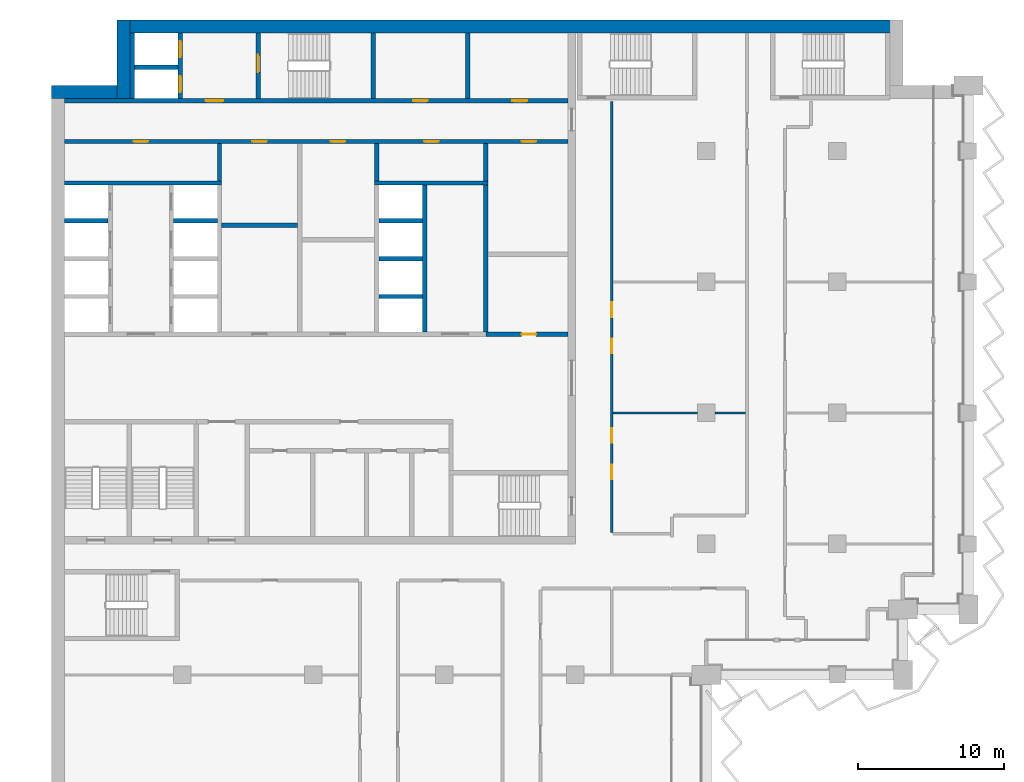
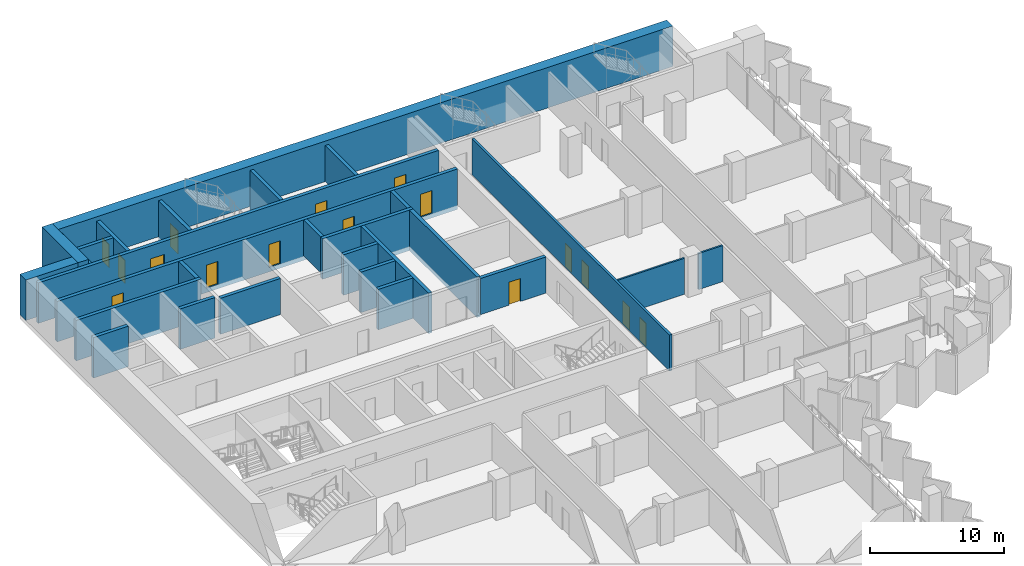
# One storey, part 14 of 23: 28 walls, 16 doors, 16 openings.
"""IFC4 building model written with IfcOpenShell, lengths in metres."""

from ifc_helpers import new_model, si_unit, direction, frame, frame_2d, origin, place, context, subcontext, project, spatial, rectangle, extrude, material, layer, layer_set, type_object, element, fill, save


model = new_model("IFC4")

# Units and contexts
model_context = context("Model", 3, precision=1e-05, world=origin(), true_north=direction((0.0, 1.0)))
body_context = subcontext(model_context, "Body", "Model", "MODEL_VIEW")
ifc_project = project(units=[si_unit("LENGTHUNIT", "METRE"), si_unit("AREAUNIT", "SQUARE_METRE"), si_unit("VOLUMEUNIT", "CUBIC_METRE"), si_unit("PLANEANGLEUNIT", "RADIAN"), si_unit("MASSUNIT", "GRAM", prefix="KILO")], contexts=[model_context])

# Site, building, storey
site_placement = place(None, origin())
site = spatial("IfcSite", under=ifc_project, at=site_placement, CompositionType="ELEMENT")
building_placement = place(site_placement, origin())
building = spatial("IfcBuilding", under=site, at=building_placement, Name="Hunhe Ridgeline Campus", CompositionType="ELEMENT")
storey_placement = place(building_placement, frame((0.0, 0.0, 170.800048828125)))
storey = spatial("IfcBuildingStorey", under=building, at=storey_placement, Name="L43", CompositionType="ELEMENT", Elevation=170.800048828125)

# Wall, opening, door
ifc_material_1 = material(Name="Masonry concrete blockwork", Category="masonry")
ifc_layer_1 = layer(ifc_material_1, 0.300048828125)
ifc_layer_set_1 = layer_set([ifc_layer_1], Name="Core room partition 300 concrete block")
wall_type_1 = type_object("IfcWallType", Name="Core room partition 300 concrete block", PredefinedType="PARTITIONING", material=ifc_layer_set_1)
wall_1_placement = place(storey_placement, frame((29.85009765625, 77.39990234375, 0.0), z_axis=(0.0, 0.0, 1.0), x_axis=(1.0, 0.0, 0.0)))
wall_1 = element("IfcWall", 1, at=wall_1_placement, inside=storey, type_object=wall_type_1, Name="L43 core partition 13", PredefinedType="PARTITIONING", context=body_context, shape_type="SweptSolid", body=[
    extrude(rectangle(XDim=5.64990234375, YDim=0.300048828125, at=frame_2d((2.824951171875, 0.0))), origin(), (0.0, 0.0, 1.0), 3.300048828125),
])
opening_1_placement = place(wall_1_placement, frame((2.449951171875, 0.0, 0.0)))
opening_1 = element("IfcOpeningElement", 2, at=opening_1_placement, cuts=wall_1, Name="Opening CD32", PredefinedType="OPENING", context=body_context, shape_type="SweptSolid", body=[
    extrude(rectangle(XDim=1.0, YDim=2.10009765625, at=frame_2d((0.5, 1.050048828125))), frame((0.0, 0.14990234375, 0.0), z_axis=(0.0, -1.0, 0.0), x_axis=(1.0, 0.0, 0.0)), (0.0, 0.0, 1.0), 0.300048828125),
])
ifc_material_2 = material(Name="Solid core timber door leaf", Category="wood")
door_type_1 = type_object("IfcDoorType", Name="Timber door 1000x2100", OperationType="SINGLE_SWING_LEFT", PredefinedType="DOOR", material=ifc_material_2)
door_1_placement = place(opening_1_placement, origin())
door_1 = element("IfcDoor", 3, at=door_1_placement, inside=storey, type_object=door_type_1, Name="L43 door ES0", OperationType="SINGLE_SWING_LEFT", OverallHeight=2.10009765625, OverallWidth=1.0, PredefinedType="DOOR", context=body_context, shape_type="SweptSolid", body=[
    extrude(rectangle(XDim=1.0, YDim=2.10009765625, at=frame_2d((0.5, 1.050048828125))), frame((0.0, 0.02490234375, 0.0), z_axis=(0.0, -1.0, 0.0), x_axis=(1.0, 0.0, 0.0)), (0.0, 0.0, 1.0), 0.050048828125),
])
fill(opening_1, door_1)

# Walls
wall_2_placement = place(storey_placement, frame((11.699951171875, 84.89990234375, 0.0), z_axis=(0.0, 0.0, 1.0), x_axis=(1.0, 0.0, 0.0)))
element("IfcWall", 4, at=wall_2_placement, inside=storey, type_object=wall_type_1, Name="L43 core partition 22", PredefinedType="PARTITIONING", context=body_context, shape_type="SweptSolid", body=[
    extrude(rectangle(XDim=5.199951171875, YDim=0.300048828125, at=frame_2d((2.60009765625, 0.0))), origin(), (0.0, 0.0, 1.0), 3.300048828125),
])
for number, where, z_axis, x_axis, name in (
    (5, (11.550048828125, 87.949951171875, 0.0), (0.0, 0.0, 1.0), (0.0, 1.0, 0.0), "L43 core partition 42"),
    (6, (22.35009765625, 87.949951171875, 0.0), (0.0, 0.0, 1.0), (0.0, 1.0, 0.0), "L43 core partition 51"),
):
    element("IfcWall", number, at=place(storey_placement, frame(where, z_axis=z_axis, x_axis=x_axis)), inside=storey, type_object=wall_type_1, Name=name, PredefinedType="PARTITIONING", context=body_context, shape_type="SweptSolid", body=[
        extrude(rectangle(XDim=2.550048828125, YDim=0.300048828125, at=frame_2d((1.27490234375, 0.0))), origin(), (0.0, 0.0, 1.0), 3.300048828125),
    ])
wall_3_placement = place(storey_placement, frame((28.60009765625, 93.60009765625, 0.0), z_axis=(0.0, 0.0, 1.0), x_axis=(0.0, 1.0, 0.0)))
element("IfcWall", 7, at=wall_3_placement, inside=storey, type_object=wall_type_1, Name="L43 core partition 57", PredefinedType="PARTITIONING", context=body_context, shape_type="SweptSolid", body=[
    extrude(rectangle(XDim=4.5, YDim=0.300048828125, at=frame_2d((2.25, 0.0))), origin(), (0.0, 0.0, 1.0), 3.300048828125),
])
wall_4_placement = place(storey_placement, frame((29.85009765625, 87.949951171875, 0.0), z_axis=(0.0, 0.0, 1.0), x_axis=(0.0, 1.0, 0.0)))
element("IfcWall", 8, at=wall_4_placement, inside=storey, type_object=wall_type_1, Name="L43 core partition 59", PredefinedType="PARTITIONING", context=body_context, shape_type="SweptSolid", body=[
    extrude(rectangle(XDim=2.550048828125, YDim=0.300048828125, at=frame_2d((1.27490234375, 0.0))), origin(), (0.0, 0.0, 1.0), 3.300048828125),
])

# Wall, openings, doors
ifc_material_3 = material(Name="Gypsum board partition")
ifc_layer_2 = layer(ifc_material_3, 0.199951171875)
ifc_layer_set_2 = layer_set([ifc_layer_2], Name="Corridor partition 200 gypsum board on steel studs")
wall_type_2 = type_object("IfcWallType", Name="Corridor partition 200 gypsum board on steel studs", PredefinedType="PARTITIONING", material=ifc_layer_set_2)
wall_5_placement = place(storey_placement, frame((38.5, 93.39599609375, 0.0), z_axis=(0.0, 0.0, 1.0), x_axis=(0.0, -1.0, 0.0)))
wall_5 = element("IfcWall", 9, at=wall_5_placement, inside=storey, type_object=wall_type_2, Name="F-L43-wall-074", PredefinedType="PARTITIONING", context=body_context, shape_type="SweptSolid", body=[
    extrude(rectangle(XDim=29.595947265625, YDim=0.199951171875, at=frame_2d((14.7978515625, 0.0))), origin(), (0.0, 0.0, 1.0), 3.300048828125),
])
opening_2_placement = place(wall_5_placement, frame((24.95751953125, 0.0, 0.0)))
opening_2 = element("IfcOpeningElement", 10, at=opening_2_placement, cuts=wall_5, Name="Opening RD1-028", PredefinedType="OPENING", context=body_context, shape_type="SweptSolid", body=[
    extrude(rectangle(XDim=1.0, YDim=2.10009765625, at=frame_2d((0.5, 1.050048828125))), frame((0.0, 0.10009765625, 0.0), z_axis=(0.0, -1.0, 0.0), x_axis=(1.0, 0.0, 0.0)), (0.0, 0.0, 1.0), 0.199951171875),
])
opening_3_placement = place(wall_5_placement, frame((22.45751953125, 0.0, 0.0)))
opening_3 = element("IfcOpeningElement", 11, at=opening_3_placement, cuts=wall_5, Name="Opening RD1-030", PredefinedType="OPENING", context=body_context, shape_type="SweptSolid", body=[
    extrude(rectangle(XDim=1.0, YDim=2.10009765625, at=frame_2d((0.5, 1.050048828125))), frame((0.0, 0.10009765625, 0.0), z_axis=(0.0, -1.0, 0.0), x_axis=(1.0, 0.0, 0.0)), (0.0, 0.0, 1.0), 0.199951171875),
])
opening_4_placement = place(wall_5_placement, frame((16.304443359375, 0.0, 0.0)))
opening_4 = element("IfcOpeningElement", 12, at=opening_4_placement, cuts=wall_5, Name="Opening RD1-032", PredefinedType="OPENING", context=body_context, shape_type="SweptSolid", body=[
    extrude(rectangle(XDim=1.0, YDim=2.10009765625, at=frame_2d((0.5, 1.050048828125))), frame((0.0, 0.10009765625, 0.0), z_axis=(0.0, -1.0, 0.0), x_axis=(1.0, 0.0, 0.0)), (0.0, 0.0, 1.0), 0.199951171875),
])
opening_5_placement = place(wall_5_placement, frame((13.804443359375, 0.0, 0.0)))
opening_5 = element("IfcOpeningElement", 13, at=opening_5_placement, cuts=wall_5, Name="Opening RD1-033", PredefinedType="OPENING", context=body_context, shape_type="SweptSolid", body=[
    extrude(rectangle(XDim=1.0, YDim=2.10009765625, at=frame_2d((0.5, 1.050048828125))), frame((0.0, 0.10009765625, 0.0), z_axis=(0.0, -1.0, 0.0), x_axis=(1.0, 0.0, 0.0)), (0.0, 0.0, 1.0), 0.199951171875),
])
ifc_material_4 = material(Name="Timber door leaf", Category="wood")
door_type_2 = type_object("IfcDoorType", Name="Single fire door 1000x2100 timber FD60", OperationType="NOTDEFINED", PredefinedType="DOOR", material=ifc_material_4)
door_2_placement = place(opening_2_placement, frame((1.0, 0.0, 0.0), z_axis=(0.0, 0.0, 1.0), x_axis=(-1.0, 0.0, 0.0)))
door_2 = element("IfcDoor", 14, at=door_2_placement, inside=storey, type_object=door_type_2, Name="F-L43-door-028", OperationType="SINGLE_SWING_LEFT", OverallHeight=2.10009765625, OverallWidth=1.0, PredefinedType="DOOR", context=body_context, shape_type="SweptSolid", body=[
    extrude(rectangle(XDim=1.0, YDim=2.10009765625, at=frame_2d((0.5, 1.050048828125))), frame((0.0, 0.02490234375, 0.0), z_axis=(0.0, -1.0, 0.0), x_axis=(1.0, 0.0, 0.0)), (0.0, 0.0, 1.0), 0.050048828125),
])
fill(opening_2, door_2)
door_3_placement = place(opening_3_placement, frame((1.0, 0.0, 0.0), z_axis=(0.0, 0.0, 1.0), x_axis=(-1.0, 0.0, 0.0)))
door_3 = element("IfcDoor", 15, at=door_3_placement, inside=storey, type_object=door_type_2, Name="F-L43-door-030", OperationType="SINGLE_SWING_RIGHT", OverallHeight=2.10009765625, OverallWidth=1.0, PredefinedType="DOOR", context=body_context, shape_type="SweptSolid", body=[
    extrude(rectangle(XDim=1.0, YDim=2.10009765625, at=frame_2d((0.5, 1.050048828125))), frame((0.0, 0.02490234375, 0.0), z_axis=(0.0, -1.0, 0.0), x_axis=(1.0, 0.0, 0.0)), (0.0, 0.0, 1.0), 0.050048828125),
])
fill(opening_3, door_3)
door_4_placement = place(opening_4_placement, frame((1.0, 0.0, 0.0), z_axis=(0.0, 0.0, 1.0), x_axis=(-1.0, 0.0, 0.0)))
door_4 = element("IfcDoor", 16, at=door_4_placement, inside=storey, type_object=door_type_2, Name="F-L43-door-032", OperationType="SINGLE_SWING_RIGHT", OverallHeight=2.10009765625, OverallWidth=1.0, PredefinedType="DOOR", context=body_context, shape_type="SweptSolid", body=[
    extrude(rectangle(XDim=1.0, YDim=2.10009765625, at=frame_2d((0.5, 1.050048828125))), frame((0.0, 0.02490234375, 0.0), z_axis=(0.0, -1.0, 0.0), x_axis=(1.0, 0.0, 0.0)), (0.0, 0.0, 1.0), 0.050048828125),
])
fill(opening_4, door_4)
door_5_placement = place(opening_5_placement, frame((1.0, 0.0, 0.0), z_axis=(0.0, 0.0, 1.0), x_axis=(-1.0, 0.0, 0.0)))
door_5 = element("IfcDoor", 17, at=door_5_placement, inside=storey, type_object=door_type_2, Name="F-L43-door-033", OperationType="SINGLE_SWING_RIGHT", OverallHeight=2.10009765625, OverallWidth=1.0, PredefinedType="DOOR", context=body_context, shape_type="SweptSolid", body=[
    extrude(rectangle(XDim=1.0, YDim=2.10009765625, at=frame_2d((0.5, 1.050048828125))), frame((0.0, 0.02490234375, 0.0), z_axis=(0.0, -1.0, 0.0), x_axis=(1.0, 0.0, 0.0)), (0.0, 0.0, 1.0), 0.050048828125),
])
fill(opening_5, door_5)

ifc_material_5 = material(Name="Concrete C70", Category="concrete")
ifc_layer_3 = layer(ifc_material_5, 0.300048828125)
ifc_layer_set_3 = layer_set([ifc_layer_3], Name="Lobby wall 300 reinforced concrete C70")
wall_type_3 = type_object("IfcWallType", Name="Lobby wall 300 reinforced concrete C70", PredefinedType="SOLIDWALL", material=ifc_layer_set_3)
wall_6_placement = place(storey_placement, frame((0.89990234375, 90.64990234375, -0.400146484375), z_axis=(0.0, 0.0, 1.0), x_axis=(1.0, 0.0, 0.0)))
wall_6 = element("IfcWall", 18, at=wall_6_placement, inside=storey, type_object=wall_type_3, Name="L43 core wall 28", PredefinedType="SOLIDWALL", context=body_context, shape_type="SweptSolid", body=[
    extrude(rectangle(XDim=34.60009765625, YDim=0.300048828125, at=frame_2d((17.300048828125, 0.0))), origin(), (0.0, 0.0, 1.0), 3.7001953125),
])
opening_6_placement = place(wall_6_placement, frame((4.75, 0.0, 0.39990234375)))
opening_6 = element("IfcOpeningElement", 19, at=opening_6_placement, cuts=wall_6, Name="Opening CD26", PredefinedType="OPENING", context=body_context, shape_type="SweptSolid", body=[
    extrude(rectangle(XDim=1.0, YDim=2.10009765625, at=frame_2d((0.5, 1.050048828125))), frame((0.0, 0.14990234375, 0.0), z_axis=(0.0, -1.0, 0.0), x_axis=(1.0, 0.0, 0.0)), (0.0, 0.0, 1.0), 0.300048828125),
])
opening_7_placement = place(wall_6_placement, frame((24.699951171875, 0.0, 0.39990234375)))
opening_7 = element("IfcOpeningElement", 20, at=opening_7_placement, cuts=wall_6, Name="Opening CD27", PredefinedType="OPENING", context=body_context, shape_type="SweptSolid", body=[
    extrude(rectangle(XDim=1.0, YDim=2.10009765625, at=frame_2d((0.5, 1.050048828125))), frame((0.0, 0.14990234375, 0.0), z_axis=(0.0, -1.0, 0.0), x_axis=(1.0, 0.0, 0.0)), (0.0, 0.0, 1.0), 0.300048828125),
])
opening_8_placement = place(wall_6_placement, frame((12.89990234375, 0.0, 0.39990234375)))
opening_8 = element("IfcOpeningElement", 21, at=opening_8_placement, cuts=wall_6, Name="Opening CD29", PredefinedType="OPENING", context=body_context, shape_type="SweptSolid", body=[
    extrude(rectangle(XDim=1.0, YDim=2.10009765625, at=frame_2d((0.5, 1.050048828125))), frame((0.0, 0.14990234375, 0.0), z_axis=(0.0, -1.0, 0.0), x_axis=(1.0, 0.0, 0.0)), (0.0, 0.0, 1.0), 0.300048828125),
])
opening_9_placement = place(wall_6_placement, frame((18.300048828125, 0.0, 0.39990234375)))
opening_9 = element("IfcOpeningElement", 22, at=opening_9_placement, cuts=wall_6, Name="Opening CD31", PredefinedType="OPENING", context=body_context, shape_type="SweptSolid", body=[
    extrude(rectangle(XDim=1.0, YDim=2.10009765625, at=frame_2d((0.5, 1.050048828125))), frame((0.0, 0.14990234375, 0.0), z_axis=(0.0, -1.0, 0.0), x_axis=(1.0, 0.0, 0.0)), (0.0, 0.0, 1.0), 0.300048828125),
])
opening_10_placement = place(wall_6_placement, frame((31.39990234375, 0.0, 0.39990234375)))
opening_10 = element("IfcOpeningElement", 23, at=opening_10_placement, cuts=wall_6, Name="Opening CD33", PredefinedType="OPENING", context=body_context, shape_type="SweptSolid", body=[
    extrude(rectangle(XDim=1.0, YDim=2.10009765625, at=frame_2d((0.5, 1.050048828125))), frame((0.0, 0.14990234375, 0.0), z_axis=(0.0, -1.0, 0.0), x_axis=(1.0, 0.0, 0.0)), (0.0, 0.0, 1.0), 0.300048828125),
])
door_6_placement = place(opening_6_placement, frame((1.0, 0.0, 0.0), z_axis=(0.0, 0.0, 1.0), x_axis=(-1.0, 0.0, 0.0)))
door_6 = element("IfcDoor", 24, at=door_6_placement, inside=storey, type_object=door_type_1, Name="L43 door NR-0", OperationType="SINGLE_SWING_LEFT", OverallHeight=2.10009765625, OverallWidth=1.0, PredefinedType="DOOR", context=body_context, shape_type="SweptSolid", body=[
    extrude(rectangle(XDim=1.0, YDim=2.10009765625, at=frame_2d((0.5, 1.050048828125))), frame((0.0, 0.02490234375, 0.0), z_axis=(0.0, -1.0, 0.0), x_axis=(1.0, 0.0, 0.0)), (0.0, 0.0, 1.0), 0.050048828125),
])
fill(opening_6, door_6)
door_7_placement = place(opening_7_placement, frame((1.0, 0.0, 0.0), z_axis=(0.0, 0.0, 1.0), x_axis=(-1.0, 0.0, 0.0)))
door_7 = element("IfcDoor", 25, at=door_7_placement, inside=storey, type_object=door_type_1, Name="L43 door NR-1", OperationType="SINGLE_SWING_RIGHT", OverallHeight=2.10009765625, OverallWidth=1.0, PredefinedType="DOOR", context=body_context, shape_type="SweptSolid", body=[
    extrude(rectangle(XDim=1.0, YDim=2.10009765625, at=frame_2d((0.5, 1.050048828125))), frame((0.0, 0.02490234375, 0.0), z_axis=(0.0, -1.0, 0.0), x_axis=(1.0, 0.0, 0.0)), (0.0, 0.0, 1.0), 0.050048828125),
])
fill(opening_7, door_7)
door_8_placement = place(opening_8_placement, frame((1.0, 0.0, 0.0), z_axis=(0.0, 0.0, 1.0), x_axis=(-1.0, 0.0, 0.0)))
door_8 = element("IfcDoor", 26, at=door_8_placement, inside=storey, type_object=door_type_1, Name="L43 door VD-HR1", OperationType="SINGLE_SWING_RIGHT", OverallHeight=2.10009765625, OverallWidth=1.0, PredefinedType="DOOR", context=body_context, shape_type="SweptSolid", body=[
    extrude(rectangle(XDim=1.0, YDim=2.10009765625, at=frame_2d((0.5, 1.050048828125))), frame((0.0, 0.02490234375, 0.0), z_axis=(0.0, -1.0, 0.0), x_axis=(1.0, 0.0, 0.0)), (0.0, 0.0, 1.0), 0.050048828125),
])
fill(opening_8, door_8)
door_9_placement = place(opening_9_placement, frame((1.0, 0.0, 0.0), z_axis=(0.0, 0.0, 1.0), x_axis=(-1.0, 0.0, 0.0)))
door_9 = element("IfcDoor", 27, at=door_9_placement, inside=storey, type_object=door_type_1, Name="L43 door VD-HR3", OperationType="SINGLE_SWING_RIGHT", OverallHeight=2.10009765625, OverallWidth=1.0, PredefinedType="DOOR", context=body_context, shape_type="SweptSolid", body=[
    extrude(rectangle(XDim=1.0, YDim=2.10009765625, at=frame_2d((0.5, 1.050048828125))), frame((0.0, 0.02490234375, 0.0), z_axis=(0.0, -1.0, 0.0), x_axis=(1.0, 0.0, 0.0)), (0.0, 0.0, 1.0), 0.050048828125),
])
fill(opening_9, door_9)
door_10_placement = place(opening_10_placement, frame((1.0, 0.0, 0.0), z_axis=(0.0, 0.0, 1.0), x_axis=(-1.0, 0.0, 0.0)))
door_10 = element("IfcDoor", 28, at=door_10_placement, inside=storey, type_object=door_type_1, Name="L43 door ES1", OperationType="SINGLE_SWING_LEFT", OverallHeight=2.10009765625, OverallWidth=1.0, PredefinedType="DOOR", context=body_context, shape_type="SweptSolid", body=[
    extrude(rectangle(XDim=1.0, YDim=2.10009765625, at=frame_2d((0.5, 1.050048828125))), frame((0.0, 0.02490234375, 0.0), z_axis=(0.0, -1.0, 0.0), x_axis=(1.0, 0.0, 0.0)), (0.0, 0.0, 1.0), 0.050048828125),
])
fill(opening_10, door_10)

# Walls
wall_7_placement = place(storey_placement, frame((29.85009765625, 77.550048828125, -0.400146484375), z_axis=(0.0, 0.0, 1.0), x_axis=(0.0, 1.0, 0.0)))
element("IfcWall", 29, at=wall_7_placement, inside=storey, type_object=wall_type_3, Name="L43 core wall 58", PredefinedType="SOLIDWALL", context=body_context, shape_type="SweptSolid", body=[
    extrude(rectangle(XDim=10.099853515625, YDim=0.300048828125, at=frame_2d((5.0498046875, 0.0))), origin(), (0.0, 0.0, 1.0), 3.7001953125),
])
ifc_layer_4 = layer(ifc_material_3, 0.14990234375)
ifc_layer_set_4 = layer_set([ifc_layer_4], Name="Room partition 150 gypsum board on steel studs")
wall_type_4 = type_object("IfcWallType", Name="Room partition 150 gypsum board on steel studs", PredefinedType="PARTITIONING", material=ifc_layer_set_4)
wall_8_placement = place(storey_placement, frame((38.60009765625, 72.0, 0.0), z_axis=(0.0, 0.0, 1.0), x_axis=(1.0, 0.0, 0.0)))
element("IfcWall", 30, at=wall_8_placement, inside=storey, type_object=wall_type_4, Name="F-L43-wall-052", PredefinedType="PARTITIONING", context=body_context, shape_type="SweptSolid", body=[
    extrude(rectangle(XDim=5.7998046875, YDim=0.14990234375, at=frame_2d((2.89990234375, 0.0))), origin(), (0.0, 0.0, 1.0), 3.300048828125),
])
wall_9_placement = place(storey_placement, frame((45.60009765625, 72.0, 0.0), z_axis=(0.0, 0.0, 1.0), x_axis=(1.0, 0.0, 0.0)))
element("IfcWall", 31, at=wall_9_placement, inside=storey, type_object=wall_type_4, Name="F-L43-wall-053", PredefinedType="PARTITIONING", context=body_context, shape_type="SweptSolid", body=[
    extrude(rectangle(XDim=2.099853515625, YDim=0.14990234375, at=frame_2d((1.0498046875, 0.0))), origin(), (0.0, 0.0, 1.0), 3.300048828125),
])
ifc_layer_5 = layer(ifc_material_5, 0.300048828125)
ifc_layer_set_5 = layer_set([ifc_layer_5], Name="Shaft wall 300 reinforced concrete C70")
wall_type_5 = type_object("IfcWallType", Name="Shaft wall 300 reinforced concrete C70", PredefinedType="SOLIDWALL", material=ifc_layer_set_5)
for number, where, z_axis, x_axis, name in (
    (32, (22.5, 80.0, -0.400146484375), (0.0, 0.0, 1.0), (1.0, 0.0, 0.0), "L43 core wall 16"),
    (33, (22.5, 82.60009765625, -0.400146484375), (0.0, 0.0, 1.0), (1.0, 0.0, 0.0), "L43 core wall 19"),
    (34, (0.89990234375, 85.199951171875, -0.400146484375), (0.0, 0.0, 1.0), (1.0, 0.0, 0.0), "L43 core wall 23"),
    (35, (8.39990234375, 85.199951171875, -0.400146484375), (0.0, 0.0, 1.0), (1.0, 0.0, 0.0), "L43 core wall 24"),
    (36, (22.5, 85.199951171875, -0.400146484375), (0.0, 0.0, 1.0), (1.0, 0.0, 0.0), "L43 core wall 25"),
):
    element("IfcWall", number, at=place(storey_placement, frame(where, z_axis=z_axis, x_axis=x_axis)), inside=storey, type_object=wall_type_5, Name=name, PredefinedType="SOLIDWALL", context=body_context, shape_type="SweptSolid", body=[
        extrude(rectangle(XDim=3.0, YDim=0.300048828125, at=frame_2d((1.5, 0.0))), origin(), (0.0, 0.0, 1.0), 3.7001953125),
    ])
wall_10_placement = place(storey_placement, frame((0.89990234375, 87.800048828125, -0.400146484375), z_axis=(0.0, 0.0, 1.0), x_axis=(1.0, 0.0, 0.0)))
element("IfcWall", 37, at=wall_10_placement, inside=storey, type_object=wall_type_5, Name="L43 core wall 26", PredefinedType="SOLIDWALL", context=body_context, shape_type="SweptSolid", body=[
    extrude(rectangle(XDim=10.800048828125, YDim=0.300048828125, at=frame_2d((5.39990234375, 0.0))), origin(), (0.0, 0.0, 1.0), 3.7001953125),
])
wall_11_placement = place(storey_placement, frame((22.199951171875, 87.800048828125, -0.400146484375), z_axis=(0.0, 0.0, 1.0), x_axis=(1.0, 0.0, 0.0)))
element("IfcWall", 38, at=wall_11_placement, inside=storey, type_object=wall_type_5, Name="L43 core wall 27", PredefinedType="SOLIDWALL", context=body_context, shape_type="SweptSolid", body=[
    extrude(rectangle(XDim=7.800048828125, YDim=0.300048828125, at=frame_2d((3.89990234375, 0.0))), origin(), (0.0, 0.0, 1.0), 3.7001953125),
])

# Wall, openings, doors
wall_12_placement = place(storey_placement, frame((0.89990234375, 93.449951171875, -0.400146484375), z_axis=(0.0, 0.0, 1.0), x_axis=(1.0, 0.0, 0.0)))
wall_12 = element("IfcWall", 39, at=wall_12_placement, inside=storey, type_object=wall_type_5, Name="L43 core wall 29", PredefinedType="SOLIDWALL", context=body_context, shape_type="SweptSolid", body=[
    extrude(rectangle(XDim=34.60009765625, YDim=0.300048828125, at=frame_2d((17.300048828125, 0.0))), origin(), (0.0, 0.0, 1.0), 3.7001953125),
])
opening_11_placement = place(wall_12_placement, frame((9.699951171875, 0.0, 0.39990234375)))
opening_11 = element("IfcOpeningElement", 40, at=opening_11_placement, cuts=wall_12, Name="Opening CD3", PredefinedType="OPENING", context=body_context, shape_type="SweptSolid", body=[
    extrude(rectangle(XDim=1.199951171875, YDim=2.10009765625, at=frame_2d((0.60009765625, 1.050048828125))), frame((0.0, 0.14990234375, 0.0), z_axis=(0.0, -1.0, 0.0), x_axis=(1.0, 0.0, 0.0)), (0.0, 0.0, 1.0), 0.300048828125),
])
opening_12_placement = place(wall_12_placement, frame((23.949951171875, 0.0, 0.39990234375)))
opening_12 = element("IfcOpeningElement", 41, at=opening_12_placement, cuts=wall_12, Name="Opening CD34", PredefinedType="OPENING", context=body_context, shape_type="SweptSolid", body=[
    extrude(rectangle(XDim=1.0, YDim=2.10009765625, at=frame_2d((0.5, 1.050048828125))), frame((0.0, 0.14990234375, 0.0), z_axis=(0.0, -1.0, 0.0), x_axis=(1.0, 0.0, 0.0)), (0.0, 0.0, 1.0), 0.300048828125),
])
opening_13_placement = place(wall_12_placement, frame((30.77490234375, 0.0, 0.39990234375)))
opening_13 = element("IfcOpeningElement", 42, at=opening_13_placement, cuts=wall_12, Name="Opening CD35", PredefinedType="OPENING", context=body_context, shape_type="SweptSolid", body=[
    extrude(rectangle(XDim=1.0, YDim=2.10009765625, at=frame_2d((0.5, 1.050048828125))), frame((0.0, 0.14990234375, 0.0), z_axis=(0.0, -1.0, 0.0), x_axis=(1.0, 0.0, 0.0)), (0.0, 0.0, 1.0), 0.300048828125),
])
ifc_material_6 = material(Name="Hollow metal fire door leaf")
door_type_3 = type_object("IfcDoorType", Name="Lobby door 1200x2100 FD60", OperationType="SINGLE_SWING_LEFT", PredefinedType="DOOR", material=ifc_material_6)
door_11_placement = place(opening_11_placement, frame((1.199951171875, 0.0, 0.0), z_axis=(0.0, 0.0, 1.0), x_axis=(-1.0, 0.0, 0.0)))
door_11 = element("IfcDoor", 43, at=door_11_placement, inside=storey, type_object=door_type_3, Name="L43 door FF-C1", OperationType="SINGLE_SWING_LEFT", OverallHeight=2.10009765625, OverallWidth=1.199951171875, PredefinedType="DOOR", context=body_context, shape_type="SweptSolid", body=[
    extrude(rectangle(XDim=1.199951171875, YDim=2.10009765625, at=frame_2d((0.60009765625, 1.050048828125))), frame((0.0, 0.02490234375, 0.0), z_axis=(0.0, -1.0, 0.0), x_axis=(1.0, 0.0, 0.0)), (0.0, 0.0, 1.0), 0.050048828125),
])
fill(opening_11, door_11)
door_12_placement = place(opening_12_placement, origin())
door_12 = element("IfcDoor", 44, at=door_12_placement, inside=storey, type_object=door_type_1, Name="L43 door NB0", OperationType="SINGLE_SWING_LEFT", OverallHeight=2.10009765625, OverallWidth=1.0, PredefinedType="DOOR", context=body_context, shape_type="SweptSolid", body=[
    extrude(rectangle(XDim=1.0, YDim=2.10009765625, at=frame_2d((0.5, 1.050048828125))), frame((0.0, 0.02490234375, 0.0), z_axis=(0.0, -1.0, 0.0), x_axis=(1.0, 0.0, 0.0)), (0.0, 0.0, 1.0), 0.050048828125),
])
fill(opening_12, door_12)
door_13_placement = place(opening_13_placement, origin())
door_13 = element("IfcDoor", 45, at=door_13_placement, inside=storey, type_object=door_type_1, Name="L43 door NB1", OperationType="SINGLE_SWING_RIGHT", OverallHeight=2.10009765625, OverallWidth=1.0, PredefinedType="DOOR", context=body_context, shape_type="SweptSolid", body=[
    extrude(rectangle(XDim=1.0, YDim=2.10009765625, at=frame_2d((0.5, 1.050048828125))), frame((0.0, 0.02490234375, 0.0), z_axis=(0.0, -1.0, 0.0), x_axis=(1.0, 0.0, 0.0)), (0.0, 0.0, 1.0), 0.050048828125),
])
fill(opening_13, door_13)

# Walls
wall_13_placement = place(storey_placement, frame((5.699951171875, 95.75, -0.400146484375), z_axis=(0.0, 0.0, 1.0), x_axis=(1.0, 0.0, 0.0)))
element("IfcWall", 46, at=wall_13_placement, inside=storey, type_object=wall_type_5, Name="L43 core wall 32", PredefinedType="SOLIDWALL", context=body_context, shape_type="SweptSolid", body=[
    extrude(rectangle(XDim=3.0, YDim=0.300048828125, at=frame_2d((1.5, 0.0))), origin(), (0.0, 0.0, 1.0), 3.7001953125),
])
wall_14_placement = place(storey_placement, frame((5.550048828125, 93.60009765625, -0.400146484375), z_axis=(0.0, 0.0, 1.0), x_axis=(0.0, 1.0, 0.0)))
element("IfcWall", 47, at=wall_14_placement, inside=storey, type_object=wall_type_5, Name="L43 core wall 35", PredefinedType="SOLIDWALL", context=body_context, shape_type="SweptSolid", body=[
    extrude(rectangle(XDim=4.5, YDim=0.300048828125, at=frame_2d((2.25, 0.0))), origin(), (0.0, 0.0, 1.0), 3.7001953125),
])

# Wall, openings, doors
wall_15_placement = place(storey_placement, frame((8.85009765625, 93.60009765625, -0.400146484375), z_axis=(0.0, 0.0, 1.0), x_axis=(0.0, 1.0, 0.0)))
wall_15 = element("IfcWall", 48, at=wall_15_placement, inside=storey, type_object=wall_type_5, Name="L43 core wall 39", PredefinedType="SOLIDWALL", context=body_context, shape_type="SweptSolid", body=[
    extrude(rectangle(XDim=4.5, YDim=0.300048828125, at=frame_2d((2.25, 0.0))), origin(), (0.0, 0.0, 1.0), 3.7001953125),
])
opening_14_placement = place(wall_15_placement, frame((0.449951171875, 0.0, 0.39990234375)))
opening_14 = element("IfcOpeningElement", 49, at=opening_14_placement, cuts=wall_15, Name="Opening LD-FF1", PredefinedType="OPENING", context=body_context, shape_type="SweptSolid", body=[
    extrude(rectangle(XDim=1.10009765625, YDim=2.10009765625, at=frame_2d((0.550048828125, 1.050048828125))), frame((0.0, 0.14990234375, 0.0), z_axis=(0.0, -1.0, 0.0), x_axis=(1.0, 0.0, 0.0)), (0.0, 0.0, 1.0), 0.300048828125),
])
opening_15_placement = place(wall_15_placement, frame((2.85009765625, 0.0, 0.39990234375)))
opening_15 = element("IfcOpeningElement", 50, at=opening_15_placement, cuts=wall_15, Name="Opening LD-FF2", PredefinedType="OPENING", context=body_context, shape_type="SweptSolid", body=[
    extrude(rectangle(XDim=1.10009765625, YDim=2.10009765625, at=frame_2d((0.550048828125, 1.050048828125))), frame((0.0, 0.14990234375, 0.0), z_axis=(0.0, -1.0, 0.0), x_axis=(1.0, 0.0, 0.0)), (0.0, 0.0, 1.0), 0.300048828125),
])
ifc_material_7 = material(Name="Stainless steel sliding leaves", Category="steel")
door_type_4 = type_object("IfcDoorType", Name="Landing door 1100x2100 FD120", OperationType="SLIDING_TO_LEFT", PredefinedType="DOOR", material=ifc_material_7)
door_14_placement = place(opening_14_placement, origin())
door_14 = element("IfcDoor", 51, at=door_14_placement, inside=storey, type_object=door_type_4, Name="L43 landing door FF1", OperationType="SLIDING_TO_RIGHT", OverallHeight=2.10009765625, OverallWidth=1.10009765625, PredefinedType="DOOR", context=body_context, shape_type="SweptSolid", body=[
    extrude(rectangle(XDim=1.10009765625, YDim=2.10009765625, at=frame_2d((0.550048828125, 1.050048828125))), frame((0.0, 0.02490234375, 0.0), z_axis=(0.0, -1.0, 0.0), x_axis=(1.0, 0.0, 0.0)), (0.0, 0.0, 1.0), 0.050048828125),
])
fill(opening_14, door_14)
door_15_placement = place(opening_15_placement, origin())
door_15 = element("IfcDoor", 52, at=door_15_placement, inside=storey, type_object=door_type_4, Name="L43 landing door FF2", OperationType="SLIDING_TO_LEFT", OverallHeight=2.10009765625, OverallWidth=1.10009765625, PredefinedType="DOOR", context=body_context, shape_type="SweptSolid", body=[
    extrude(rectangle(XDim=1.10009765625, YDim=2.10009765625, at=frame_2d((0.550048828125, 1.050048828125))), frame((0.0, 0.02490234375, 0.0), z_axis=(0.0, -1.0, 0.0), x_axis=(1.0, 0.0, 0.0)), (0.0, 0.0, 1.0), 0.050048828125),
])
fill(opening_15, door_15)

# Walls
wall_16_placement = place(storey_placement, frame((25.64990234375, 77.550048828125, -0.400146484375), z_axis=(0.0, 0.0, 1.0), x_axis=(0.0, 1.0, 0.0)))
element("IfcWall", 53, at=wall_16_placement, inside=storey, type_object=wall_type_5, Name="L43 core wall 54", PredefinedType="SOLIDWALL", context=body_context, shape_type="SweptSolid", body=[
    extrude(rectangle(XDim=10.099853515625, YDim=0.300048828125, at=frame_2d((5.0498046875, 0.0))), origin(), (0.0, 0.0, 1.0), 3.7001953125),
])
ifc_layer_6 = layer(ifc_material_5, 0.89990234375)
ifc_layer_set_6 = layer_set([ifc_layer_6], Name="Spine wall 900 Concrete C70")
wall_type_6 = type_object("IfcWallType", Name="Spine wall 900 Concrete C70", PredefinedType="SHEAR", material=ifc_layer_set_6)
wall_17_placement = place(storey_placement, frame((58.5, 98.550048828125, 0.0), z_axis=(0.0, 0.0, 1.0), x_axis=(-1.0, 0.0, 0.0)))
element("IfcWall", 54, at=wall_17_placement, inside=storey, type_object=wall_type_6, Name="Spine wall SW2-4 L43", PredefinedType="SHEAR", context=body_context, shape_type="SweptSolid", body=[
    extrude(rectangle(XDim=54.0, YDim=0.89990234375, at=frame_2d((27.0, 0.0))), origin(), (0.0, 0.0, 1.0), 3.699951171875),
])
for number, where, z_axis, x_axis, name in (
    (55, (4.949951171875, 99.0, 0.0), (0.0, 0.0, 1.0), (0.0, -1.0, 0.0), "Spine wall SW2-5 L43"),
    (56, (5.400146484375, 94.050048828125, 0.0), (0.0, 0.0, 1.0), (-1.0, 0.0, 0.0), "Spine wall SW2-6 L43"),
):
    element("IfcWall", number, at=place(storey_placement, frame(where, z_axis=z_axis, x_axis=x_axis)), inside=storey, type_object=wall_type_6, Name=name, PredefinedType="SHEAR", context=body_context, shape_type="SweptSolid", body=[
        extrude(rectangle(XDim=5.400146484375, YDim=0.89990234375, at=frame_2d((2.7001953125, 0.0))), origin(), (0.0, 0.0, 1.0), 3.699951171875),
    ])

# Wall, opening, door
ifc_layer_7 = layer(ifc_material_5, 0.300048828125)
ifc_layer_set_7 = layer_set([ifc_layer_7], Name="Stair wall 300 reinforced concrete C70")
wall_type_7 = type_object("IfcWallType", Name="Stair wall 300 reinforced concrete C70", PredefinedType="SOLIDWALL", material=ifc_layer_set_7)
wall_18_placement = place(storey_placement, frame((14.199951171875, 93.60009765625, -0.400146484375), z_axis=(0.0, 0.0, 1.0), x_axis=(0.0, 1.0, 0.0)))
wall_18 = element("IfcWall", 57, at=wall_18_placement, inside=storey, type_object=wall_type_7, Name="L43 core wall 44", PredefinedType="SOLIDWALL", context=body_context, shape_type="SweptSolid", body=[
    extrude(rectangle(XDim=4.5, YDim=0.300048828125, at=frame_2d((2.25, 0.0))), origin(), (0.0, 0.0, 1.0), 3.7001953125),
])
opening_16_placement = place(wall_18_placement, frame((1.800048828125, 0.0, 0.39990234375)))
opening_16 = element("IfcOpeningElement", 58, at=opening_16_placement, cuts=wall_18, Name="Opening CD16", PredefinedType="OPENING", context=body_context, shape_type="SweptSolid", body=[
    extrude(rectangle(XDim=1.199951171875, YDim=2.10009765625, at=frame_2d((0.60009765625, 1.050048828125))), frame((0.0, 0.14990234375, 0.0), z_axis=(0.0, -1.0, 0.0), x_axis=(1.0, 0.0, 0.0)), (0.0, 0.0, 1.0), 0.300048828125),
])
door_type_5 = type_object("IfcDoorType", Name="Stair door 1200x2100 FD60", OperationType="SINGLE_SWING_LEFT", PredefinedType="DOOR", material=ifc_material_6)
door_16_placement = place(opening_16_placement, origin())
door_16 = element("IfcDoor", 59, at=door_16_placement, inside=storey, type_object=door_type_5, Name="L43 door S1-FF", OperationType="SINGLE_SWING_LEFT", OverallHeight=2.10009765625, OverallWidth=1.199951171875, PredefinedType="DOOR", context=body_context, shape_type="SweptSolid", body=[
    extrude(rectangle(XDim=1.199951171875, YDim=2.10009765625, at=frame_2d((0.60009765625, 1.050048828125))), frame((0.0, 0.02490234375, 0.0), z_axis=(0.0, -1.0, 0.0), x_axis=(1.0, 0.0, 0.0)), (0.0, 0.0, 1.0), 0.050048828125),
])
fill(opening_16, door_16)

# Wall
wall_19_placement = place(storey_placement, frame((22.10009765625, 93.60009765625, -0.400146484375), z_axis=(0.0, 0.0, 1.0), x_axis=(0.0, 1.0, 0.0)))
element("IfcWall", 60, at=wall_19_placement, inside=storey, type_object=wall_type_7, Name="L43 core wall 49", PredefinedType="SOLIDWALL", context=body_context, shape_type="SweptSolid", body=[
    extrude(rectangle(XDim=4.5, YDim=0.300048828125, at=frame_2d((2.25, 0.0))), origin(), (0.0, 0.0, 1.0), 3.7001953125),
])

save(model, "model.ifc")
